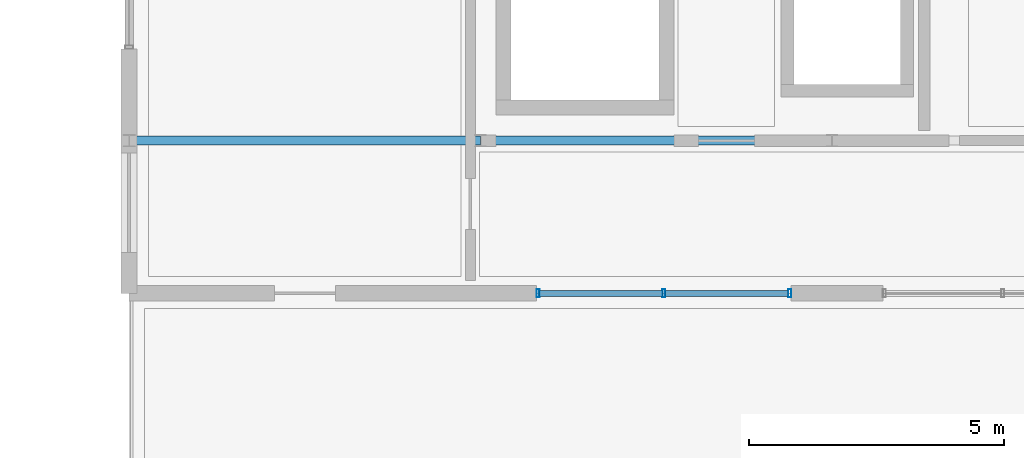
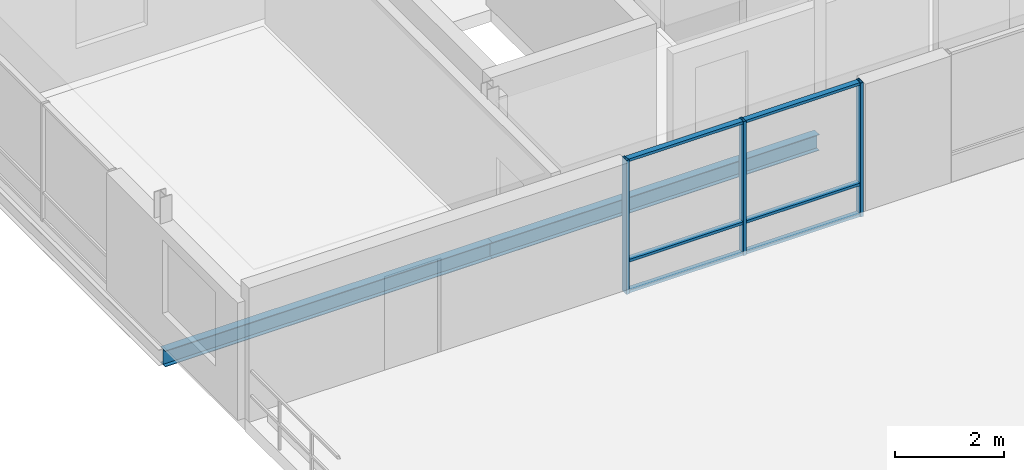
# One storey, part 28 of 109: 9 members, 2 beams, 1 element without a shape of its own.
"""IFC4 building model written with IfcOpenShell, lengths in metres."""

from ifc_helpers import new_model, si_unit, direction, frame, origin, origin_2d, place, context, subcontext, project, spatial, hollow_rectangle, i_section, extrude, material, material_profile, profile_set, type_object, element, aggregate, save


model = new_model("IFC4")

# Units and contexts
model_context = context("Model", 3, precision=1e-05, world=origin(), true_north=direction((0.0, 1.0)))
body_context = subcontext(model_context, "Body", "Model", "MODEL_VIEW")
ifc_project = project(units=[si_unit("LENGTHUNIT", "METRE"), si_unit("AREAUNIT", "SQUARE_METRE"), si_unit("VOLUMEUNIT", "CUBIC_METRE"), si_unit("PLANEANGLEUNIT", "RADIAN"), si_unit("MASSUNIT", "GRAM", prefix="KILO")], contexts=[model_context])

# Site, building, storey
site_placement = place(None, origin())
site = spatial("IfcSite", under=ifc_project, at=site_placement, CompositionType="ELEMENT")
building_placement = place(site_placement, origin())
building = spatial("IfcBuilding", under=site, at=building_placement, Name="Zavelmont Quarter", CompositionType="ELEMENT")
storey_placement = place(building_placement, frame((0.0, 0.0, 8.0)))
storey = spatial("IfcBuildingStorey", under=building, at=storey_placement, Name="L02", CompositionType="ELEMENT", Elevation=8.0)

# Beams
ifc_material_1 = material(Name="Steel S355", Category="steel")
ifc_material_profile_1 = material_profile(ifc_material_1, i_section(OverallWidth=0.169921875, OverallDepth=0.360107421875, WebThickness=0.008056640625, FlangeThickness=0.0126953125, at=origin_2d()), Name="IPE 360")
ifc_profile_set_1 = profile_set([ifc_material_profile_1], Name="Steel S355")
beam_type = type_object("IfcBeamType", Name="BM13", PredefinedType="BEAM", material=ifc_profile_set_1)
beam_1_placement = place(storey_placement, frame((0.0, 78.0, -0.449951171875), z_axis=(1.0, 0.0, 0.0), x_axis=(0.0, 1.0, 0.0)))
element("IfcBeam", 1, at=beam_1_placement, inside=storey, type_object=beam_type, Name="L02 beam BM13 1/M to 2/M", PredefinedType="BEAM", context=body_context, shape_type="SweptSolid", body=[
    extrude(i_section(OverallWidth=0.169921875, OverallDepth=0.360107421875, WebThickness=0.008056640625, FlangeThickness=0.0126953125, at=origin_2d()), origin(), (0.0, 0.0, 1.0), 6.89990234375),
])
beam_2_placement = place(storey_placement, frame((6.89990234375, 78.0, -0.449951171875), z_axis=(1.0, 0.0, 0.0), x_axis=(0.0, 1.0, 0.0)))
element("IfcBeam", 2, at=beam_2_placement, inside=storey, type_object=beam_type, Name="L02 beam BM13 2/M to 3/M", PredefinedType="BEAM", context=body_context, shape_type="SweptSolid", body=[
    extrude(i_section(OverallWidth=0.169921875, OverallDepth=0.360107421875, WebThickness=0.008056640625, FlangeThickness=0.0126953125, at=origin_2d()), origin(), (0.0, 0.0, 1.0), 6.900146484375),
])

# Curtain wall, members
ifc_material_2 = material(Name="Thermally broken aluminium and double low-E safety glazing", Category="aluminium")
curtain_wall_type = type_object("IfcCurtainWallType", Name="CW-500X299", PredefinedType="NOTDEFINED", material=ifc_material_2)
curtain_wall_placement = place(storey_placement, origin())
curtain_wall = element("IfcCurtainWall", 3, at=curtain_wall_placement, inside=storey, type_object=curtain_wall_type, Name="L02 unitised curtain wall CW-500X299", PredefinedType="NOTDEFINED")
ifc_material_3 = material(Name="Powder-coated aluminium EN AW-6063-T6", Category="aluminium")
ifc_material_profile_2 = material_profile(ifc_material_3, hollow_rectangle(XDim=0.06005859375, YDim=0.159912109375, WallThickness=0.00390625, at=origin_2d()), Name="CWM60X160")
ifc_profile_set_2 = profile_set([ifc_material_profile_2], Name="Powder-coated aluminium EN AW-6063-T6")
member_type_1 = type_object("IfcMemberType", Name="CWM01", PredefinedType="MULLION", material=ifc_profile_set_2)
member_1_placement = place(storey_placement, frame((8.030029296875, 75.0, 0.0), z_axis=(0.0, 0.0, 1.0), x_axis=(1.0, 0.0, 0.0)))
member_1 = element("IfcMember", 4, at=member_1_placement, type_object=member_type_1, Name="CW-500X299 mullion 1", PredefinedType="MULLION", context=body_context, shape_type="SweptSolid", body=[
    extrude(hollow_rectangle(XDim=0.06005859375, YDim=0.159912109375, WallThickness=0.00390625, at=origin_2d()), origin(), (0.0, 0.0, 1.0), 2.989990234375),
])
member_2_placement = place(storey_placement, frame((10.5, 75.0, 0.0), z_axis=(0.0, 0.0, 1.0), x_axis=(1.0, 0.0, 0.0)))
member_2 = element("IfcMember", 5, at=member_2_placement, type_object=member_type_1, Name="CW-500X299 mullion 2", PredefinedType="MULLION", context=body_context, shape_type="SweptSolid", body=[
    extrude(hollow_rectangle(XDim=0.06005859375, YDim=0.159912109375, WallThickness=0.00390625, at=origin_2d()), origin(), (0.0, 0.0, 1.0), 2.989990234375),
])
member_3_placement = place(storey_placement, frame((12.969970703125, 75.0, 0.0), z_axis=(0.0, 0.0, 1.0), x_axis=(1.0, 0.0, 0.0)))
member_3 = element("IfcMember", 6, at=member_3_placement, type_object=member_type_1, Name="CW-500X299 mullion 3", PredefinedType="MULLION", context=body_context, shape_type="SweptSolid", body=[
    extrude(hollow_rectangle(XDim=0.06005859375, YDim=0.159912109375, WallThickness=0.00390625, at=origin_2d()), origin(), (0.0, 0.0, 1.0), 2.989990234375),
])
ifc_material_profile_3 = material_profile(ifc_material_3, hollow_rectangle(XDim=0.1201171875, YDim=0.06005859375, WallThickness=0.00390625, at=origin_2d()), Name="CWT60X120")
ifc_profile_set_3 = profile_set([ifc_material_profile_3], Name="Powder-coated aluminium EN AW-6063-T6")
member_type_2 = type_object("IfcMemberType", Name="CWT01", PredefinedType="NOTDEFINED", material=ifc_profile_set_3)
member_4_placement = place(storey_placement, frame((8.06005859375, 75.0, 0.030029296875), z_axis=(1.0, 0.0, 0.0), x_axis=(0.0, 1.0, 0.0)))
member_4 = element("IfcMember", 7, at=member_4_placement, type_object=member_type_2, Name="CW-500X299 transom 1.1", ObjectType="TRANSOM", PredefinedType="USERDEFINED", context=body_context, shape_type="SweptSolid", body=[
    extrude(hollow_rectangle(XDim=0.1201171875, YDim=0.06005859375, WallThickness=0.00390625, at=origin_2d()), origin(), (0.0, 0.0, 1.0), 2.409912109375),
])
member_5_placement = place(storey_placement, frame((8.06005859375, 75.0, 0.718017578125), z_axis=(1.0, 0.0, 0.0), x_axis=(0.0, 1.0, 0.0)))
member_5 = element("IfcMember", 8, at=member_5_placement, type_object=member_type_2, Name="CW-500X299 transom 1.2", ObjectType="TRANSOM", PredefinedType="USERDEFINED", context=body_context, shape_type="SweptSolid", body=[
    extrude(hollow_rectangle(XDim=0.1201171875, YDim=0.06005859375, WallThickness=0.00390625, at=origin_2d()), origin(), (0.0, 0.0, 1.0), 2.409912109375),
])
member_6_placement = place(storey_placement, frame((8.06005859375, 75.0, 2.9599609375), z_axis=(1.0, 0.0, 0.0), x_axis=(0.0, 1.0, 0.0)))
member_6 = element("IfcMember", 9, at=member_6_placement, type_object=member_type_2, Name="CW-500X299 transom 1.3", ObjectType="TRANSOM", PredefinedType="USERDEFINED", context=body_context, shape_type="SweptSolid", body=[
    extrude(hollow_rectangle(XDim=0.1201171875, YDim=0.06005859375, WallThickness=0.00390625, at=origin_2d()), origin(), (0.0, 0.0, 1.0), 2.409912109375),
])
member_7_placement = place(storey_placement, frame((10.530029296875, 75.0, 0.030029296875), z_axis=(1.0, 0.0, 0.0), x_axis=(0.0, 1.0, 0.0)))
member_7 = element("IfcMember", 10, at=member_7_placement, type_object=member_type_2, Name="CW-500X299 transom 2.1", ObjectType="TRANSOM", PredefinedType="USERDEFINED", context=body_context, shape_type="SweptSolid", body=[
    extrude(hollow_rectangle(XDim=0.1201171875, YDim=0.06005859375, WallThickness=0.00390625, at=origin_2d()), origin(), (0.0, 0.0, 1.0), 2.409912109375),
])
member_8_placement = place(storey_placement, frame((10.530029296875, 75.0, 0.718017578125), z_axis=(1.0, 0.0, 0.0), x_axis=(0.0, 1.0, 0.0)))
member_8 = element("IfcMember", 11, at=member_8_placement, type_object=member_type_2, Name="CW-500X299 transom 2.2", ObjectType="TRANSOM", PredefinedType="USERDEFINED", context=body_context, shape_type="SweptSolid", body=[
    extrude(hollow_rectangle(XDim=0.1201171875, YDim=0.06005859375, WallThickness=0.00390625, at=origin_2d()), origin(), (0.0, 0.0, 1.0), 2.409912109375),
])
member_9_placement = place(storey_placement, frame((10.530029296875, 75.0, 2.9599609375), z_axis=(1.0, 0.0, 0.0), x_axis=(0.0, 1.0, 0.0)))
member_9 = element("IfcMember", 12, at=member_9_placement, type_object=member_type_2, Name="CW-500X299 transom 2.3", ObjectType="TRANSOM", PredefinedType="USERDEFINED", context=body_context, shape_type="SweptSolid", body=[
    extrude(hollow_rectangle(XDim=0.1201171875, YDim=0.06005859375, WallThickness=0.00390625, at=origin_2d()), origin(), (0.0, 0.0, 1.0), 2.409912109375),
])
aggregate(curtain_wall, [member_1, member_2, member_3, member_4, member_5, member_6, member_7, member_8, member_9])

save(model, "model.ifc")
